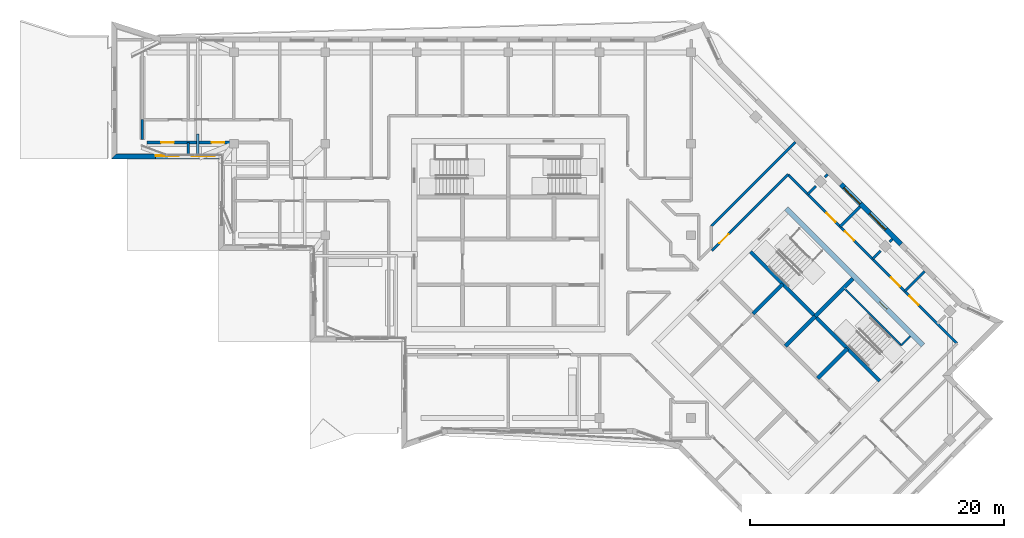
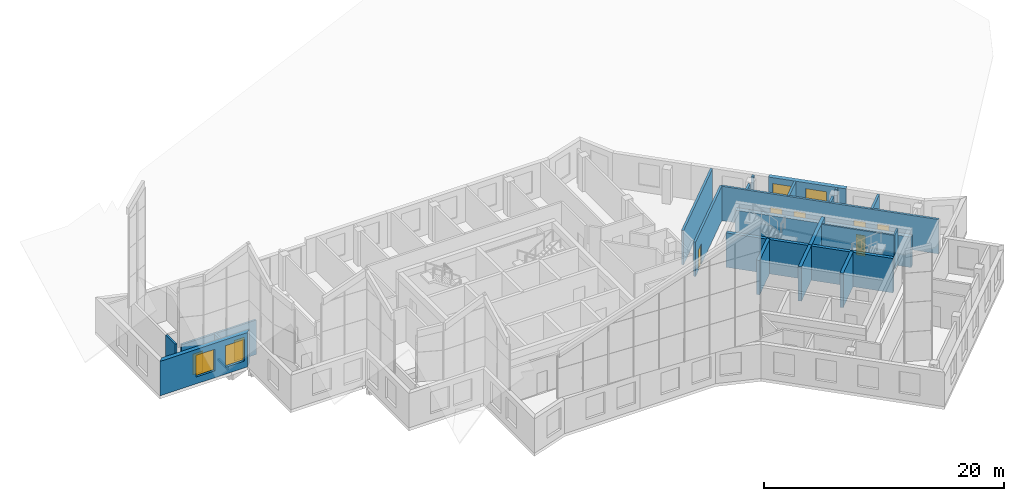
# One storey, part 14 of 20: 24 walls, 8 doors, 4 windows, 12 openings.
"""IFC4 building model written with IfcOpenShell, lengths in metres."""

from ifc_helpers import new_model, si_unit, direction, frame, frame_2d, origin, place, context, subcontext, project, spatial, polyline, rectangle, outline, extrude, material, layer, layer_set, type_object, element, fill, save


model = new_model("IFC4")

# Units and contexts
model_context = context("Model", 3, precision=1e-05, world=origin(), true_north=direction((0.0, 1.0)))
body_context = subcontext(model_context, "Body", "Model", "MODEL_VIEW")
ifc_project = project(units=[si_unit("LENGTHUNIT", "METRE"), si_unit("AREAUNIT", "SQUARE_METRE"), si_unit("VOLUMEUNIT", "CUBIC_METRE"), si_unit("PLANEANGLEUNIT", "RADIAN"), si_unit("MASSUNIT", "GRAM", prefix="KILO")], contexts=[model_context])

# Site, building, storey
site_placement = place(None, origin())
site = spatial("IfcSite", under=ifc_project, at=site_placement, CompositionType="ELEMENT")
building_placement = place(site_placement, origin())
building = spatial("IfcBuilding", under=site, at=building_placement, Name="Windrow Commons", CompositionType="ELEMENT")
storey_placement = place(building_placement, frame((0.0, 0.0, 290.6)))
storey = spatial("IfcBuildingStorey", under=building, at=storey_placement, Name="L79", CompositionType="ELEMENT", Elevation=290.6)

# Wall, openings, doors
ifc_material_1 = material(Name="Blockwork partition", Category="masonry")
ifc_layer_1 = layer(ifc_material_1, 0.2)
ifc_layer_set_1 = layer_set([ifc_layer_1], Name="IW-CORRIDOR-200")
wall_type_1 = type_object("IfcWallType", Name="IW-CORRIDOR-200", PredefinedType="PARTITIONING", material=ifc_layer_set_1)
wall_1_placement = place(storey_placement, frame((86.8328, 62.3808, 0.0), z_axis=(0.0, 0.0, 1.0), x_axis=(0.7071067812, -0.7071067812, 0.0)))
wall_1 = element("IfcWall", 1, at=wall_1_placement, inside=storey, type_object=wall_type_1, Name="W-L79-W001", PredefinedType="PARTITIONING", context=body_context, shape_type="SweptSolid", body=[
    extrude(rectangle(XDim=18.8006, YDim=0.2, at=frame_2d((9.4003, 0.0))), origin(), (0.0, 0.0, 1.0), 3.5),
])
opening_1_placement = place(wall_1_placement, frame((4.276, 0.0, 0.0)))
opening_1 = element("IfcOpeningElement", 2, at=opening_1_placement, cuts=wall_1, Name="Opening D410F", PredefinedType="OPENING", context=body_context, shape_type="SweptSolid", body=[
    extrude(rectangle(XDim=1.0, YDim=2.1, at=frame_2d((0.5, 1.05))), frame((0.0, 0.11, 0.0), z_axis=(0.0, -1.0, 0.0), x_axis=(1.0, 0.0, 0.0)), (0.0, 0.0, 1.0), 0.22),
])
opening_2_placement = place(wall_1_placement, frame((6.326, 0.0, 0.0)))
opening_2 = element("IfcOpeningElement", 3, at=opening_2_placement, cuts=wall_1, Name="Opening D410F", PredefinedType="OPENING", context=body_context, shape_type="SweptSolid", body=[
    extrude(rectangle(XDim=1.0, YDim=2.1, at=frame_2d((0.5, 1.05))), frame((0.0, 0.11, 0.0), z_axis=(0.0, -1.0, 0.0), x_axis=(1.0, 0.0, 0.0)), (0.0, 0.0, 1.0), 0.22),
])
opening_3_placement = place(wall_1_placement, frame((11.476, 0.0, 0.0)))
opening_3 = element("IfcOpeningElement", 4, at=opening_3_placement, cuts=wall_1, Name="Opening D410F", PredefinedType="OPENING", context=body_context, shape_type="SweptSolid", body=[
    extrude(rectangle(XDim=1.0, YDim=2.1, at=frame_2d((0.5, 1.05))), frame((0.0, 0.11, 0.0), z_axis=(0.0, -1.0, 0.0), x_axis=(1.0, 0.0, 0.0)), (0.0, 0.0, 1.0), 0.22),
])
opening_4_placement = place(wall_1_placement, frame((13.526, 0.0, 0.0)))
opening_4 = element("IfcOpeningElement", 5, at=opening_4_placement, cuts=wall_1, Name="Opening D410F", PredefinedType="OPENING", context=body_context, shape_type="SweptSolid", body=[
    extrude(rectangle(XDim=1.0, YDim=2.1, at=frame_2d((0.5, 1.05))), frame((0.0, 0.11, 0.0), z_axis=(0.0, -1.0, 0.0), x_axis=(1.0, 0.0, 0.0)), (0.0, 0.0, 1.0), 0.22),
])
ifc_material_2 = material(Name="Timber door leaf", Category="wood")
door_type_1 = type_object("IfcDoorType", Name="DT-SERVICE-1000", OperationType="SINGLE_SWING_LEFT", PredefinedType="DOOR", material=ifc_material_2)
door_1_placement = place(opening_1_placement, origin())
door_1 = element("IfcDoor", 6, at=door_1_placement, inside=storey, type_object=door_type_1, Name="D-L79-D024", OperationType="SINGLE_SWING_LEFT", OverallHeight=2.1, OverallWidth=1.0, PredefinedType="DOOR", context=body_context, shape_type="SweptSolid", body=[
    extrude(rectangle(XDim=1.0, YDim=2.1, at=frame_2d((0.5, 1.05))), frame((0.0, 0.025, 0.0), z_axis=(0.0, -1.0, 0.0), x_axis=(1.0, 0.0, 0.0)), (0.0, 0.0, 1.0), 0.05),
])
fill(opening_1, door_1)
door_2_placement = place(opening_2_placement, origin())
door_2 = element("IfcDoor", 7, at=door_2_placement, inside=storey, type_object=door_type_1, Name="D-L79-D025", OperationType="SINGLE_SWING_RIGHT", OverallHeight=2.1, OverallWidth=1.0, PredefinedType="DOOR", context=body_context, shape_type="SweptSolid", body=[
    extrude(rectangle(XDim=1.0, YDim=2.1, at=frame_2d((0.5, 1.05))), frame((0.0, 0.025, 0.0), z_axis=(0.0, -1.0, 0.0), x_axis=(1.0, 0.0, 0.0)), (0.0, 0.0, 1.0), 0.05),
])
fill(opening_2, door_2)
door_3_placement = place(opening_3_placement, origin())
door_3 = element("IfcDoor", 8, at=door_3_placement, inside=storey, type_object=door_type_1, Name="D-L79-D026", OperationType="SINGLE_SWING_LEFT", OverallHeight=2.1, OverallWidth=1.0, PredefinedType="DOOR", context=body_context, shape_type="SweptSolid", body=[
    extrude(rectangle(XDim=1.0, YDim=2.1, at=frame_2d((0.5, 1.05))), frame((0.0, 0.025, 0.0), z_axis=(0.0, -1.0, 0.0), x_axis=(1.0, 0.0, 0.0)), (0.0, 0.0, 1.0), 0.05),
])
fill(opening_3, door_3)
door_4_placement = place(opening_4_placement, origin())
door_4 = element("IfcDoor", 9, at=door_4_placement, inside=storey, type_object=door_type_1, Name="D-L79-D027", OperationType="SINGLE_SWING_RIGHT", OverallHeight=2.1, OverallWidth=1.0, PredefinedType="DOOR", context=body_context, shape_type="SweptSolid", body=[
    extrude(rectangle(XDim=1.0, YDim=2.1, at=frame_2d((0.5, 1.05))), frame((0.0, 0.025, 0.0), z_axis=(0.0, -1.0, 0.0), x_axis=(1.0, 0.0, 0.0)), (0.0, 0.0, 1.0), 0.05),
])
fill(opening_4, door_4)

# Wall, opening, door
wall_2_placement = place(storey_placement, frame((80.8296, 56.3724, 0.0), z_axis=(0.0, 0.0, 1.0), x_axis=(0.7069890968, 0.707224446, 0.0)))
wall_2 = element("IfcWall", 10, at=wall_2_placement, inside=storey, type_object=wall_type_1, Name="W-L79-W013", PredefinedType="PARTITIONING", context=body_context, shape_type="SweptSolid", body=[
    extrude(rectangle(XDim=8.498, YDim=0.2, at=frame_2d((4.249, 0.0))), origin(), (0.0, 0.0, 1.0), 3.5),
])
opening_5_placement = place(wall_2_placement, frame((0.8414, 0.0, 0.0)))
opening_5 = element("IfcOpeningElement", 11, at=opening_5_placement, cuts=wall_2, Name="Opening D410F", PredefinedType="OPENING", context=body_context, shape_type="SweptSolid", body=[
    extrude(rectangle(XDim=1.0, YDim=2.1, at=frame_2d((0.5, 1.05))), frame((0.0, 0.11, 0.0), z_axis=(0.0, -1.0, 0.0), x_axis=(1.0, 0.0, 0.0)), (0.0, 0.0, 1.0), 0.22),
])
door_5_placement = place(opening_5_placement, origin())
door_5 = element("IfcDoor", 12, at=door_5_placement, inside=storey, type_object=door_type_1, Name="D-L79-D022", OperationType="SINGLE_SWING_RIGHT", OverallHeight=2.1, OverallWidth=1.0, PredefinedType="DOOR", context=body_context, shape_type="SweptSolid", body=[
    extrude(rectangle(XDim=1.0, YDim=2.1, at=frame_2d((0.5, 1.05))), frame((0.0, 0.025, 0.0), z_axis=(0.0, -1.0, 0.0), x_axis=(1.0, 0.0, 0.0)), (0.0, 0.0, 1.0), 0.05),
])
fill(opening_5, door_5)

# Wall, openings, doors
wall_3_placement = place(storey_placement, frame((36.35, 64.9, 0.0), z_axis=(0.0, 0.0, 1.0), x_axis=(1.0, 0.0, 0.0)))
wall_3 = element("IfcWall", 13, at=wall_3_placement, inside=storey, type_object=wall_type_1, Name="W-L79-W015", PredefinedType="PARTITIONING", context=body_context, shape_type="SweptSolid", body=[
    extrude(rectangle(XDim=7.2, YDim=0.2, at=frame_2d((3.6, 0.0))), origin(), (0.0, 0.0, 1.0), 3.5),
])
opening_6_placement = place(wall_3_placement, frame((1.1235, 0.0, 0.0)))
opening_6 = element("IfcOpeningElement", 14, at=opening_6_placement, cuts=wall_3, Name="Opening D410F", PredefinedType="OPENING", context=body_context, shape_type="SweptSolid", body=[
    extrude(rectangle(XDim=1.0, YDim=2.1, at=frame_2d((0.5, 1.05))), frame((0.0, 0.11, 0.0), z_axis=(0.0, -1.0, 0.0), x_axis=(1.0, 0.0, 0.0)), (0.0, 0.0, 1.0), 0.22),
])
opening_7_placement = place(wall_3_placement, frame((5.1022, 0.0, 0.0)))
opening_7 = element("IfcOpeningElement", 15, at=opening_7_placement, cuts=wall_3, Name="Opening D410F", PredefinedType="OPENING", context=body_context, shape_type="SweptSolid", body=[
    extrude(rectangle(XDim=1.0, YDim=2.1, at=frame_2d((0.5, 1.05))), frame((0.0, 0.11, 0.0), z_axis=(0.0, -1.0, 0.0), x_axis=(1.0, 0.0, 0.0)), (0.0, 0.0, 1.0), 0.22),
])
door_6_placement = place(opening_6_placement, origin())
door_6 = element("IfcDoor", 16, at=door_6_placement, inside=storey, type_object=door_type_1, Name="D-L79-D005", OperationType="SINGLE_SWING_RIGHT", OverallHeight=2.1, OverallWidth=1.0, PredefinedType="DOOR", context=body_context, shape_type="SweptSolid", body=[
    extrude(rectangle(XDim=1.0, YDim=2.1, at=frame_2d((0.5, 1.05))), frame((0.0, 0.025, 0.0), z_axis=(0.0, -1.0, 0.0), x_axis=(1.0, 0.0, 0.0)), (0.0, 0.0, 1.0), 0.05),
])
fill(opening_6, door_6)
door_7_placement = place(opening_7_placement, origin())
door_7 = element("IfcDoor", 17, at=door_7_placement, inside=storey, type_object=door_type_1, Name="D-L79-D009", OperationType="SINGLE_SWING_RIGHT", OverallHeight=2.1, OverallWidth=1.0, PredefinedType="DOOR", context=body_context, shape_type="SweptSolid", body=[
    extrude(rectangle(XDim=1.0, YDim=2.1, at=frame_2d((0.5, 1.05))), frame((0.0, 0.025, 0.0), z_axis=(0.0, -1.0, 0.0), x_axis=(1.0, 0.0, 0.0)), (0.0, 0.0, 1.0), 0.05),
])
fill(opening_7, door_7)

# Walls
wall_4_placement = place(storey_placement, frame((36.0, 65.15, 0.0), z_axis=(0.0, 0.0, 1.0), x_axis=(0.0, 1.0, 0.0)))
element("IfcWall", 18, at=wall_4_placement, inside=storey, type_object=wall_type_1, Name="W-L79-W075", PredefinedType="PARTITIONING", context=body_context, shape_type="SweptSolid", body=[
    extrude(rectangle(XDim=1.55, YDim=0.2, at=frame_2d((0.775, 0.0))), origin(), (0.0, 0.0, 1.0), 3.5),
])
ifc_material_3 = material(Name="Blockwork partition", Category="masonry")
ifc_layer_2 = layer(ifc_material_3, 0.2)
ifc_layer_set_2 = layer_set([ifc_layer_2], Name="IW-PARTY-200")
wall_type_2 = type_object("IfcWallType", Name="IW-PARTY-200", PredefinedType="PARTITIONING", material=ifc_layer_set_2)
for number, where, z_axis, x_axis, name in (
    (19, (88.3915, 60.8285, 0.0), (0.0, 0.0, 1.0), (0.7071067812, 0.7071067812, 0.0), "W-L79-W082"),
    (20, (93.4827, 55.7373, 0.0), (0.0, 0.0, 1.0), (0.7071067812, 0.7071067812, 0.0), "W-L79-W083"),
):
    element("IfcWall", number, at=place(storey_placement, frame(where, z_axis=z_axis, x_axis=x_axis)), inside=storey, type_object=wall_type_2, Name=name, PredefinedType="PARTITIONING", context=body_context, shape_type="SweptSolid", body=[
        extrude(rectangle(XDim=0.9051, YDim=0.2, at=frame_2d((0.4526, 0.0))), origin(), (0.0, 0.0, 1.0), 3.5),
    ])
wall_5_placement = place(storey_placement, frame((80.7989, 58.3271, 0.0), z_axis=(0.0, 0.0, 1.0), x_axis=(0.7071067812, 0.7071067812, 0.0)))
element("IfcWall", 21, at=wall_5_placement, inside=storey, type_object=wall_type_2, Name="W-L79-W010", PredefinedType="PARTITIONING", context=body_context, shape_type="SweptSolid", body=[
    extrude(outline(polyline([(0.0, -0.1), (9.3376, -0.1), (9.3376, 0.1), (0.0, 0.1), (0.0, -0.1)])), origin(), (0.0, 0.0, 1.0), 3.5),
])
for number, where, z_axis, x_axis, name in (
    (22, (96.028, 53.192, 0.0), (0.0, 0.0, 1.0), (0.7066975891, 0.7075157366, 0.0), "W-L79-W056"),
    (23, (90.9371, 58.2829, 0.0), (0.0, 0.0, 1.0), (0.7071067812, 0.7071067812, 0.0), "W-L79-W057"),
):
    element("IfcWall", number, at=place(storey_placement, frame(where, z_axis=z_axis, x_axis=x_axis)), inside=storey, type_object=wall_type_2, Name=name, PredefinedType="PARTITIONING", context=body_context, shape_type="SweptSolid", body=[
        extrude(outline(polyline([(0.0, -0.1), (2.2001, -0.1), (2.2001, 0.1), (0.0, 0.1), (0.0, -0.1)])), origin(), (0.0, 0.0, 1.0), 3.5),
    ])
wall_6_placement = place(storey_placement, frame((39.6, 64.0, 0.0), z_axis=(0.0, 0.0, 1.0), x_axis=(0.0, 1.0, 0.0)))
element("IfcWall", 24, at=wall_6_placement, inside=storey, type_object=wall_type_2, Name="W-L79-W077", PredefinedType="PARTITIONING", context=body_context, shape_type="SweptSolid", body=[
    extrude(outline(polyline([(0.0, -0.1), (0.9, -0.1), (0.9, 0.1), (0.0, 0.1), (0.0, -0.1)])), origin(), (0.0, 0.0, 1.0), 3.5),
])
wall_7_placement = place(storey_placement, frame((94.8271, 57.073, 0.0), z_axis=(0.0, 0.0, 1.0), x_axis=(0.7053010617, 0.7089079012, 0.0)))
element("IfcWall", 25, at=wall_7_placement, inside=storey, type_object=wall_type_2, Name="W-L79-W099", PredefinedType="PARTITIONING", context=body_context, shape_type="SweptSolid", body=[
    extrude(outline(polyline([(0.0, -0.1), (0.305, -0.1), (0.305, 0.1), (0.0, 0.1), (0.0, -0.1)])), origin(), (0.0, 0.0, 1.0), 3.5),
])
wall_8_placement = place(storey_placement, frame((89.7343, 62.1657, 0.0), z_axis=(0.0, 0.0, 1.0), x_axis=(0.7089070674, 0.7053018997, 0.0)))
element("IfcWall", 26, at=wall_8_placement, inside=storey, type_object=wall_type_2, Name="W-L79-W100", PredefinedType="PARTITIONING", context=body_context, shape_type="SweptSolid", body=[
    extrude(outline(polyline([(0.0, -0.1), (0.3051, -0.1), (0.3051, 0.1), (0.0, 0.1), (0.0, -0.1)])), origin(), (0.0, 0.0, 1.0), 3.5),
])

# Wall, opening, door
ifc_material_4 = material(Name="Concrete C40/50", Category="concrete")
ifc_layer_3 = layer(ifc_material_4, 0.4)
ifc_layer_set_3 = layer_set([ifc_layer_3], Name="RC CORE WALL 400 C40/50")
wall_type_3 = type_object("IfcWallType", Name="RC CORE WALL 400 C40/50", PredefinedType="SHEAR", material=ifc_layer_set_3)
wall_9_placement = place(storey_placement, frame((86.6953, 59.6963, -0.3), z_axis=(0.0, 0.0, 1.0), x_axis=(0.7071100706, -0.7071034917, 0.0)))
wall_9 = element("IfcWall", 27, at=wall_9_placement, inside=storey, type_object=wall_type_3, Name="Core B wall outer-N", PredefinedType="SHEAR", context=body_context, shape_type="SweptSolid", body=[
    extrude(rectangle(XDim=15.2, YDim=0.4, at=frame_2d((7.6, 0.0))), origin(), (0.0, 0.0, 1.0), 3.1),
])
opening_8_placement = place(wall_9_placement, frame((10.4, 0.0, 0.3)))
opening_8 = element("IfcOpeningElement", 28, at=opening_8_placement, cuts=wall_9, Name="Opening D9", PredefinedType="OPENING", context=body_context, shape_type="SweptSolid", body=[
    extrude(rectangle(XDim=0.8, YDim=2.1, at=frame_2d((0.4, 1.05))), frame((0.0, 0.21, 0.0), z_axis=(0.0, -1.0, 0.0), x_axis=(1.0, 0.0, 0.0)), (0.0, 0.0, 1.0), 0.42),
])
ifc_material_5 = material(Name="Steel fire door leaf", Category="steel")
door_type_2 = type_object("IfcDoorType", Name="Riser access door 800", OperationType="SINGLE_SWING_LEFT", PredefinedType="DOOR", material=ifc_material_5)
door_8_placement = place(opening_8_placement, origin())
door_8 = element("IfcDoor", 29, at=door_8_placement, inside=storey, type_object=door_type_2, Name="Riser access door", OperationType="SINGLE_SWING_RIGHT", OverallHeight=2.1, OverallWidth=0.8, PredefinedType="DOOR", context=body_context, shape_type="SweptSolid", body=[
    extrude(rectangle(XDim=0.8, YDim=2.1, at=frame_2d((0.4, 1.05))), frame((0.0, 0.025, 0.0), z_axis=(0.0, -1.0, 0.0), x_axis=(1.0, 0.0, 0.0)), (0.0, 0.0, 1.0), 0.05),
])
fill(opening_8, door_8)

# Walls
ifc_material_6 = material(Name="Concrete C40/50", Category="concrete")
ifc_layer_4 = layer(ifc_material_6, 0.3)
ifc_layer_set_4 = layer_set([ifc_layer_4], Name="RC SHAFT WALL 300 C40/50")
wall_type_4 = type_object("IfcWallType", Name="RC SHAFT WALL 300 C40/50", PredefinedType="SOLIDWALL", material=ifc_layer_set_4)
wall_10_placement = place(storey_placement, frame((84.079, 51.4232, 0.0), z_axis=(0.0, 0.0, 1.0), x_axis=(0.7071219326, 0.7070916295, 0.0)))
element("IfcWall", 30, at=wall_10_placement, inside=storey, type_object=wall_type_4, Name="Core B wall shaft-N1", PredefinedType="SOLIDWALL", context=body_context, shape_type="SweptSolid", body=[
    extrude(rectangle(XDim=3.3, YDim=0.3, at=frame_2d((1.65, 0.0))), origin(), (0.0, 0.0, 1.0), 3.5),
])
for number, where, z_axis, x_axis, name in (
    (31, (86.6246, 48.8776, 0.0), (0.0, 0.0, 1.0), (0.7071067812, 0.7071067812, 0.0), "Core B wall shaft-N2"),
    (32, (89.1702, 46.332, 0.0), (0.0, 0.0, 1.0), (0.7071067812, 0.7071067812, 0.0), "Core B wall shaft-N3"),
):
    element("IfcWall", number, at=place(storey_placement, frame(where, z_axis=z_axis, x_axis=x_axis)), inside=storey, type_object=wall_type_4, Name=name, PredefinedType="SOLIDWALL", context=body_context, shape_type="SweptSolid", body=[
        extrude(rectangle(XDim=3.3001, YDim=0.3, at=frame_2d((1.6501, 0.0))), origin(), (0.0, 0.0, 1.0), 3.5),
    ])
for number, where, z_axis, x_axis, name in (
    (33, (83.8669, 56.3022, 0.0), (0.0, 0.0, 1.0), (0.7071137256, -0.7070998367, 0.0), "Core B wall stair-S"),
    (34, (88.9581, 51.2111, 0.0), (0.0, 0.0, 1.0), (0.7070998367, -0.7071137256, 0.0), "Core B wall stair-S2"),
):
    element("IfcWall", number, at=place(storey_placement, frame(where, z_axis=z_axis, x_axis=x_axis)), inside=storey, type_object=wall_type_4, Name=name, PredefinedType="SOLIDWALL", context=body_context, shape_type="SweptSolid", body=[
        extrude(rectangle(XDim=7.2, YDim=0.3, at=frame_2d((3.6, 0.0))), origin(), (0.0, 0.0, 1.0), 3.5),
    ])
wall_11_placement = place(storey_placement, frame((88.9581, 51.2111, 0.0), z_axis=(0.0, 0.0, 1.0), x_axis=(0.7071067812, 0.7071067812, 0.0)))
element("IfcWall", 35, at=wall_11_placement, inside=storey, type_object=wall_type_4, Name="Core B wall stair-mid", PredefinedType="SOLIDWALL", context=body_context, shape_type="SweptSolid", body=[
    extrude(rectangle(XDim=4.1999, YDim=0.3, at=frame_2d((2.1, 0.0))), origin(), (0.0, 0.0, 1.0), 3.5),
])
ifc_material_7 = material(Name="Blockwork partition", Category="masonry")
ifc_layer_5 = layer(ifc_material_7, 0.15)
ifc_layer_set_5 = layer_set([ifc_layer_5], Name="Riser partition 150")
wall_type_5 = type_object("IfcWallType", Name="Riser partition 150", PredefinedType="PARTITIONING", material=ifc_layer_set_5)
wall_12_placement = place(storey_placement, frame((91.3127, 53.3536, 0.0), z_axis=(0.0, 0.0, 1.0), x_axis=(0.7071147811, -0.7070987812, 0.0)))
element("IfcWall", 36, at=wall_12_placement, inside=storey, type_object=wall_type_5, Name="W-core-strip-B-L79", PredefinedType="PARTITIONING", context=body_context, shape_type="SweptSolid", body=[
    extrude(rectangle(XDim=6.25, YDim=0.15, at=frame_2d((3.125, 0.0))), origin(), (0.0, 0.0, 1.0), 3.5),
])
wall_13_placement = place(storey_placement, frame((95.7322, 48.9342, 0.0), z_axis=(0.0, 0.0, 1.0), x_axis=(0.7071067812, 0.7071067812, 0.0)))
element("IfcWall", 37, at=wall_13_placement, inside=storey, type_object=wall_type_5, Name="W-core-stripx-B-L79-1", PredefinedType="PARTITIONING", context=body_context, shape_type="SweptSolid", body=[
    extrude(rectangle(XDim=1.0199, YDim=0.15, at=frame_2d((0.51, 0.0))), origin(), (0.0, 0.0, 1.0), 3.5),
])
ifc_material_8 = material(Name="Brick masonry, red clay brick", Category="masonry")
ifc_layer_6 = layer(ifc_material_8, 0.2)
ifc_layer_set_6 = layer_set([ifc_layer_6], Name="Terrace edge parapet 200")
wall_type_6 = type_object("IfcWallType", Name="Terrace edge parapet 200", PredefinedType="PARAPET", material=ifc_layer_set_6)
wall_14_placement = place(storey_placement, frame((40.367, 64.0, 0.0), z_axis=(0.0, 0.0, 1.0), x_axis=(0.0, 1.0, 0.0)))
element("IfcWall", 38, at=wall_14_placement, inside=storey, type_object=wall_type_6, Name="Terrace parapet TR-L79-1.1.1", PredefinedType="PARAPET", context=body_context, shape_type="SweptSolid", body=[
    extrude(outline(polyline([(0.0, -0.1), (1.58, -0.1), (1.58, 0.1), (0.0, 0.1), (0.0, -0.1)])), origin(), (0.0, 0.0, 1.0), 0.25),
])

# Wall, openings, windows
ifc_material_9 = material(Name="Standing seam zinc cladding on insulated masonry backing", Category="masonry")
ifc_layer_7 = layer(ifc_material_9, 0.4)
ifc_layer_set_7 = layer_set([ifc_layer_7], Name="Zinc clad crown wall 400")
wall_type_7 = type_object("IfcWallType", Name="Zinc clad crown wall 400", PredefinedType="SOLIDWALL", material=ifc_layer_set_7)
wall_15_placement = place(storey_placement, frame((95.7299, 56.8844, 0.0), z_axis=(0.0, 0.0, 1.0), x_axis=(-0.7071067812, 0.7071067812, 0.0)))
wall_15 = element("IfcWall", 39, at=wall_15_placement, inside=storey, type_object=wall_type_7, Name="Brick facade wall L79 6", PredefinedType="SOLIDWALL", context=body_context, shape_type="SweptSolid", body=[
    extrude(outline(polyline([(0.0, -0.2), (6.6821, -0.2), (6.6821, 0.2), (0.0, 0.2), (0.0, -0.2)])), origin(), (0.0, 0.0, 1.0), 3.5),
])
opening_9_placement = place(wall_15_placement, frame((1.6768, 0.0, 0.7)))
opening_9 = element("IfcOpeningElement", 40, at=opening_9_placement, cuts=wall_15, Name="Opening W6", PredefinedType="OPENING", context=body_context, shape_type="SweptSolid", body=[
    extrude(rectangle(XDim=1.8, YDim=2.2, at=frame_2d((0.9, 1.1))), frame((0.0, 0.21, 0.0), z_axis=(0.0, -1.0, 0.0), x_axis=(1.0, 0.0, 0.0)), (0.0, 0.0, 1.0), 0.42),
])
opening_10_placement = place(wall_15_placement, frame((4.5295, 0.0, 0.7)))
opening_10 = element("IfcOpeningElement", 41, at=opening_10_placement, cuts=wall_15, Name="Opening W6", PredefinedType="OPENING", context=body_context, shape_type="SweptSolid", body=[
    extrude(rectangle(XDim=1.8, YDim=2.2, at=frame_2d((0.9, 1.1))), frame((0.0, 0.21, 0.0), z_axis=(0.0, -1.0, 0.0), x_axis=(1.0, 0.0, 0.0)), (0.0, 0.0, 1.0), 0.42),
])
ifc_material_10 = material(Name="Clear float glass in anodised aluminium frame", Category="aluminium")
window_type = type_object("IfcWindowType", Name="Window W6 crown 1800x2200", PartitioningType="SINGLE_PANEL", PredefinedType="WINDOW", material=ifc_material_10)
window_1_placement = place(opening_9_placement, origin())
window_1 = element("IfcWindow", 42, at=window_1_placement, inside=storey, type_object=window_type, Name="Window L79 6.1", OverallHeight=2.2, OverallWidth=1.8, PartitioningType="SINGLE_PANEL", PredefinedType="WINDOW", context=body_context, shape_type="SweptSolid", body=[
    extrude(rectangle(XDim=1.8, YDim=2.2, at=frame_2d((0.9, 1.1))), frame((0.0, 0.08, 0.0), z_axis=(0.0, -1.0, 0.0), x_axis=(1.0, 0.0, 0.0)), (0.0, 0.0, 1.0), 0.06),
])
fill(opening_9, window_1)
window_2_placement = place(opening_10_placement, origin())
window_2 = element("IfcWindow", 43, at=window_2_placement, inside=storey, type_object=window_type, Name="Window L79 6.2", OverallHeight=2.2, OverallWidth=1.8, PartitioningType="SINGLE_PANEL", PredefinedType="WINDOW", context=body_context, shape_type="SweptSolid", body=[
    extrude(rectangle(XDim=1.8, YDim=2.2, at=frame_2d((0.9, 1.1))), frame((0.0, 0.08, 0.0), z_axis=(0.0, -1.0, 0.0), x_axis=(1.0, 0.0, 0.0)), (0.0, 0.0, 1.0), 0.06),
])
fill(opening_10, window_2)

wall_16_placement = place(storey_placement, frame((33.767, 63.8, 0.0), z_axis=(0.0, 0.0, 1.0), x_axis=(1.0, 0.0, 0.0)))
wall_16 = element("IfcWall", 44, at=wall_16_placement, inside=storey, type_object=wall_type_7, Name="Brick facade wall L79 18", PredefinedType="SOLIDWALL", context=body_context, shape_type="SweptSolid", body=[
    extrude(outline(polyline([(-0.2, -0.2), (8.233, -0.2), (8.633, 0.2), (0.2, 0.2), (-0.2, -0.2)])), origin(), (0.0, 0.0, 1.0), 3.5),
])
opening_11_placement = place(wall_16_placement, frame((3.283, 0.0, 0.7)))
opening_11 = element("IfcOpeningElement", 45, at=opening_11_placement, cuts=wall_16, Name="Opening W6", PredefinedType="OPENING", context=body_context, shape_type="SweptSolid", body=[
    extrude(rectangle(XDim=1.8, YDim=2.2, at=frame_2d((0.9, 1.1))), frame((0.0, 0.21, 0.0), z_axis=(0.0, -1.0, 0.0), x_axis=(1.0, 0.0, 0.0)), (0.0, 0.0, 1.0), 0.42),
])
opening_12_placement = place(wall_16_placement, frame((6.133, 0.0, 0.7)))
opening_12 = element("IfcOpeningElement", 46, at=opening_12_placement, cuts=wall_16, Name="Opening W6", PredefinedType="OPENING", context=body_context, shape_type="SweptSolid", body=[
    extrude(rectangle(XDim=1.8, YDim=2.2, at=frame_2d((0.9, 1.1))), frame((0.0, 0.21, 0.0), z_axis=(0.0, -1.0, 0.0), x_axis=(1.0, 0.0, 0.0)), (0.0, 0.0, 1.0), 0.42),
])
window_3_placement = place(opening_11_placement, origin())
window_3 = element("IfcWindow", 47, at=window_3_placement, inside=storey, type_object=window_type, Name="Window L79 18.1", OverallHeight=2.2, OverallWidth=1.8, PartitioningType="SINGLE_PANEL", PredefinedType="WINDOW", context=body_context, shape_type="SweptSolid", body=[
    extrude(rectangle(XDim=1.8, YDim=2.2, at=frame_2d((0.9, 1.1))), frame((0.0, 0.08, 0.0), z_axis=(0.0, -1.0, 0.0), x_axis=(1.0, 0.0, 0.0)), (0.0, 0.0, 1.0), 0.06),
])
fill(opening_11, window_3)
window_4_placement = place(opening_12_placement, origin())
window_4 = element("IfcWindow", 48, at=window_4_placement, inside=storey, type_object=window_type, Name="Window L79 18.2", OverallHeight=2.2, OverallWidth=1.8, PartitioningType="SINGLE_PANEL", PredefinedType="WINDOW", context=body_context, shape_type="SweptSolid", body=[
    extrude(rectangle(XDim=1.8, YDim=2.2, at=frame_2d((0.9, 1.1))), frame((0.0, 0.08, 0.0), z_axis=(0.0, -1.0, 0.0), x_axis=(1.0, 0.0, 0.0)), (0.0, 0.0, 1.0), 0.06),
])
fill(opening_12, window_4)

save(model, "model.ifc")
